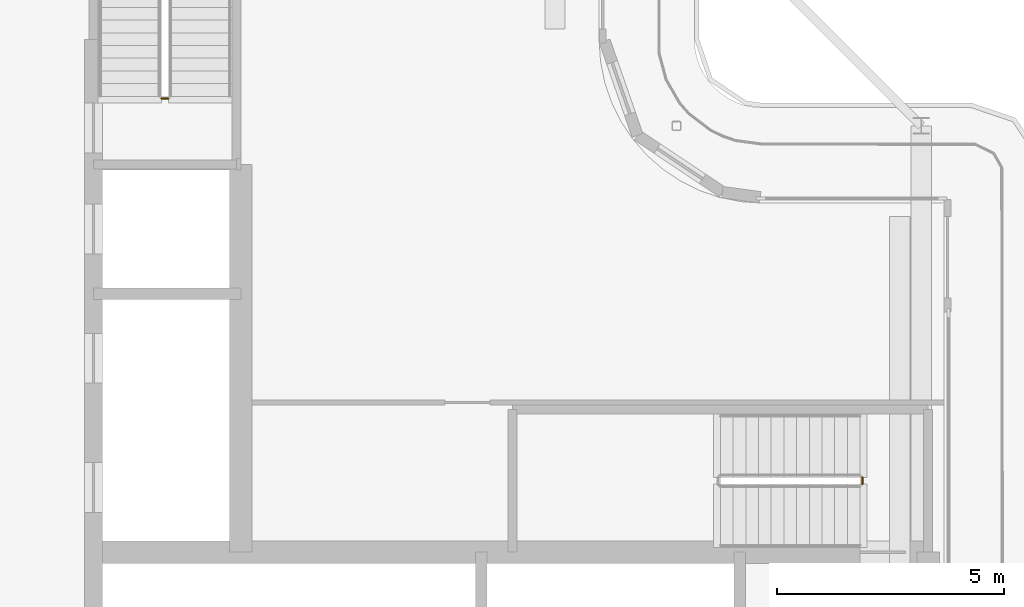
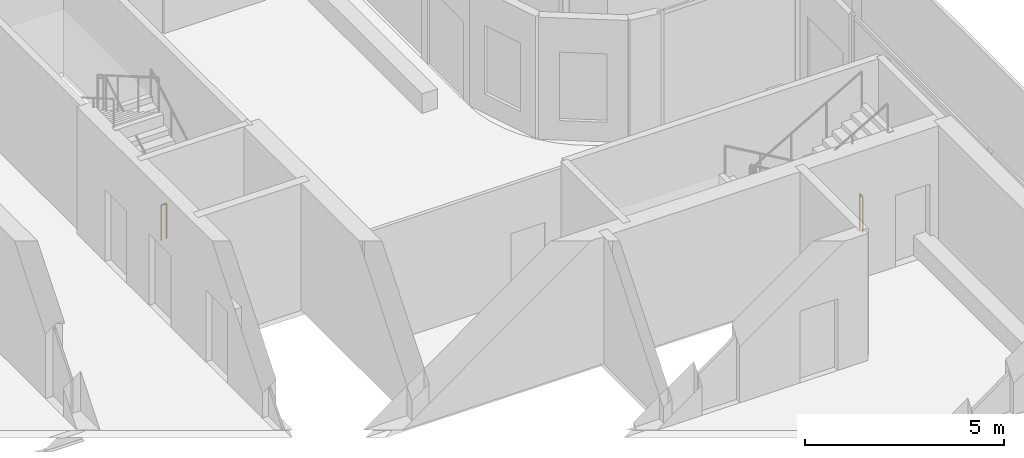
# One storey, part 14 of 19: 2 railings.
"""IFC4 building model written with IfcOpenShell, lengths in metres."""

from ifc_helpers import new_model, si_unit, direction, frame, origin, origin_2d, place, context, subcontext, project, spatial, circle, extrude, material, type_object, element, save


model = new_model("IFC4")

# Units and contexts
model_context = context("Model", 3, precision=1e-05, world=origin(), true_north=direction((0.0, 1.0)))
body_context = subcontext(model_context, "Body", "Model", "MODEL_VIEW")
ifc_project = project(units=[si_unit("LENGTHUNIT", "METRE"), si_unit("AREAUNIT", "SQUARE_METRE"), si_unit("VOLUMEUNIT", "CUBIC_METRE"), si_unit("PLANEANGLEUNIT", "RADIAN"), si_unit("MASSUNIT", "GRAM", prefix="KILO")], contexts=[model_context])

# Site, building, storey
site_placement = place(None, origin())
site = spatial("IfcSite", under=ifc_project, at=site_placement, CompositionType="ELEMENT")
building_placement = place(site_placement, origin())
building = spatial("IfcBuilding", under=site, at=building_placement, Name="Kheshtan School and Residences Tower", CompositionType="ELEMENT")
storey_placement = place(building_placement, frame((0.0, 0.0, 357.800048828125)))
storey = spatial("IfcBuildingStorey", under=building, at=storey_placement, Name="L84", CompositionType="ELEMENT", Elevation=357.800048828125)

# Railings
ifc_material = material(Name="Stainless steel balustrade", Category="steel")
railing_type = type_object("IfcRailingType", Name="Stair guard 1100", PredefinedType="GUARDRAIL", material=ifc_material)
railing_1_placement = place(storey_placement, frame((51.699951171875, 37.85009765625, 0.0)))
element("IfcRailing", 1, at=railing_1_placement, inside=storey, type_object=railing_type, Name="L84 ST1 stair guard 2", PredefinedType="GUARDRAIL", context=body_context, shape_type="SweptSolid", body=[
    extrude(circle(Radius=0.02392578125, at=origin_2d()), frame((0.0, 0.0, 1.076171875), z_axis=(0.0, -1.0, 0.0), x_axis=(1.0, 0.0, 0.0)), (0.0, 0.0, 1.0), 0.150146484375),
    extrude(circle(Radius=0.02099609375, at=origin_2d()), origin(), (0.0, 0.0, 1.0), 1.052001953125),
    extrude(circle(Radius=0.02099609375, at=origin_2d()), frame((0.0, -0.150146484375, 0.0)), (0.0, 0.0, 1.0), 1.052001953125),
])
railing_2_placement = place(storey_placement, frame((36.39990234375, 46.199951171875, 0.0)))
element("IfcRailing", 2, at=railing_2_placement, inside=storey, type_object=railing_type, Name="L84 ST2 stair guard 2", PredefinedType="GUARDRAIL", context=body_context, shape_type="SweptSolid", body=[
    extrude(circle(Radius=0.02392578125, at=origin_2d()), frame((0.0, 0.0, 1.076171875), z_axis=(-1.0, 0.0, 0.0), x_axis=(0.0, -1.0, 0.0)), (0.0, 0.0, 1.0), 0.14990234375),
    extrude(circle(Radius=0.02099609375, at=origin_2d()), origin(), (0.0, 0.0, 1.0), 1.052001953125),
    extrude(circle(Radius=0.02099609375, at=origin_2d()), frame((-0.14990234375, 0.0, 0.0)), (0.0, 0.0, 1.0), 1.052001953125),
])

save(model, "model.ifc")
